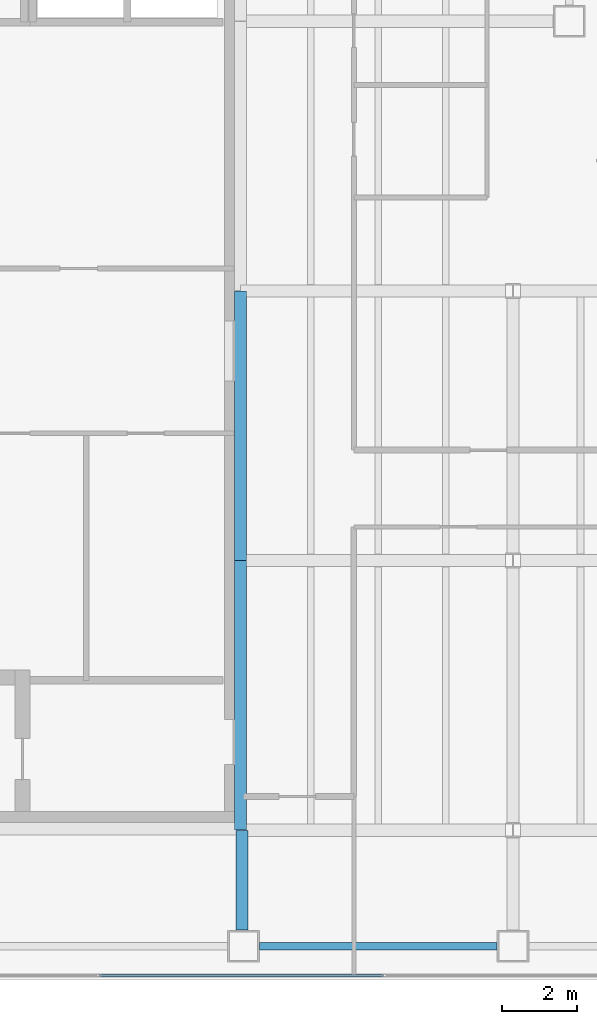
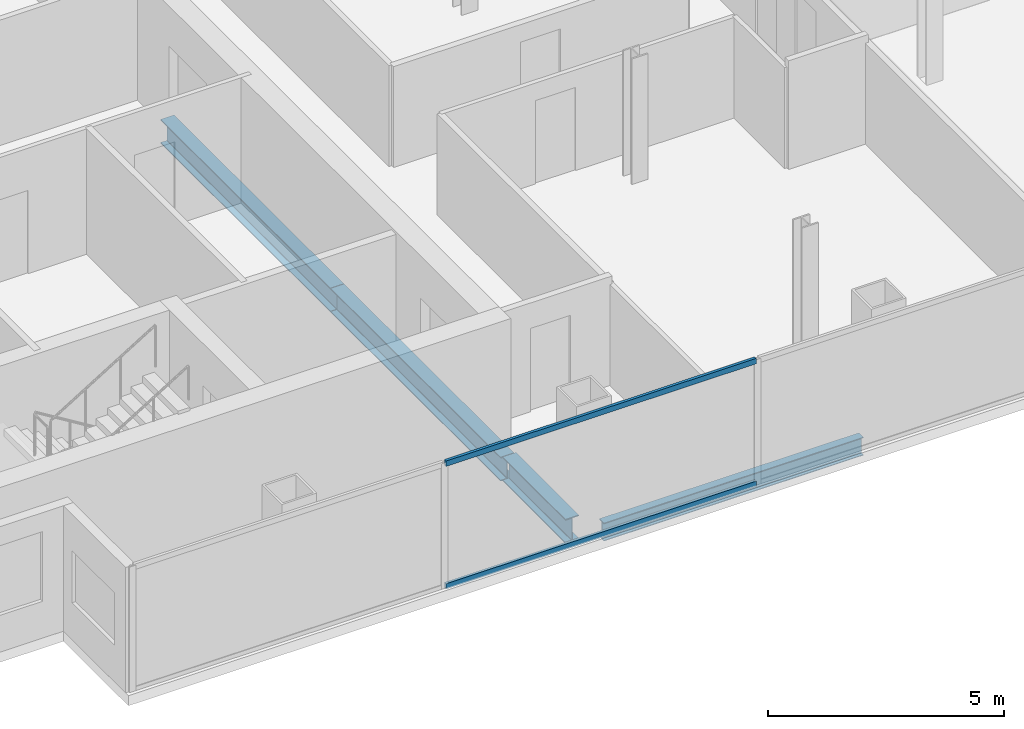
# One storey, part 3 of 23: 4 beams, 2 members, 1 element without a shape of its own.
"""IFC4 building model written with IfcOpenShell, lengths in metres."""

import ifcopenshell
import ifcopenshell.guid

model = None  # the IFC model being written
_history = None  # IfcOwnerHistory: only IFC2X3 demands one
_inside = {}  # id of a spatial element -> (the spatial element, [elements in it])
_under = {}  # id of a project, library or spatial element -> (it, [spatial elements below it])
_declared = {}  # id of a project -> (the project, [libraries it declares])
_typed = {}  # id of a type object -> (the type object, [elements of that type])
_made_of = {}  # id of a material, layer set ... -> (it, [elements and type objects made of it])


def new_model(schema):
    """Start an empty IFC model of exactly this schema.

    Asked for "IFC4X3", IfcOpenShell would pick the latest addendum, in which some entities
    have other attributes; the version numbers below select the first issue.
    IFC2X3 requires an IfcOwnerHistory on every rooted entity: one is made here for all.
    """
    global model, _history
    if schema == "IFC4X3":
        model = ifcopenshell.file(schema_version=(4, 3, 0, 0))
    else:
        model = ifcopenshell.file(schema=schema)
    _inside.clear()
    _under.clear()
    _declared.clear()
    _typed.clear()
    _made_of.clear()
    _history = None
    if model.schema == "IFC2X3":
        org = make("IfcOrganization", Name="unknown")
        user = make(
            "IfcPersonAndOrganization",
            ThePerson=make("IfcPerson", FamilyName="unknown"),
            TheOrganization=org,
        )
        app = make(
            "IfcApplication",
            ApplicationDeveloper=org,
            Version="unknown",
            ApplicationFullName="unknown",
            ApplicationIdentifier="unknown",
        )
        _history = make(
            "IfcOwnerHistory",
            OwningUser=user,
            OwningApplication=app,
            ChangeAction="ADDED",
            CreationDate=0,
        )
    return model


def make(cls, **values):
    """One entity of the class cls with the attributes given. An attribute that is None is left unset."""
    return model.create_entity(
        cls, **{name: value for name, value in values.items() if value is not None}
    )


def rooted(cls, **values):
    """An entity with a GlobalId (a new one), such as an element, a storey or a relation."""
    return make(cls, GlobalId=ifcopenshell.guid.new(), OwnerHistory=_history, **values)


def si_unit(unit_type, name, prefix=None):
    """IfcSIUnit, for example si_unit("LENGTHUNIT", "METRE", prefix="MILLI")."""
    return make("IfcSIUnit", UnitType=unit_type, Prefix=prefix, Name=name)


def assignment(units):
    """IfcUnitAssignment: the units of a project."""
    return None if units is None else make("IfcUnitAssignment", Units=units)


def point(xyz):
    """IfcCartesianPoint."""
    return None if xyz is None else make("IfcCartesianPoint", Coordinates=xyz)


def direction(xyz):
    """IfcDirection."""
    return None if xyz is None else make("IfcDirection", DirectionRatios=xyz)


def frame(location, z_axis=None, x_axis=None):
    """IfcAxis2Placement3D, a coordinate frame: its origin and axes. An axis left out is left unset."""
    return make(
        "IfcAxis2Placement3D",
        Location=point(location),
        Axis=direction(z_axis),
        RefDirection=direction(x_axis),
    )


def frame_2d(location, x_axis=None):
    """IfcAxis2Placement2D, a coordinate frame in the plane: its origin and x axis."""
    return make(
        "IfcAxis2Placement2D", Location=point(location), RefDirection=direction(x_axis)
    )


def origin():
    """The frame at (0, 0, 0) with its axes left unset."""
    return frame((0.0, 0.0, 0.0))


def origin_2d():
    """The frame at (0, 0) in the plane with its x axis left unset."""
    return frame_2d((0.0, 0.0))


def place(relative_to, where):
    """IfcLocalPlacement: puts the frame where relative to a parent placement (None: the world)."""
    return make(
        "IfcLocalPlacement", PlacementRelTo=relative_to, RelativePlacement=where
    )


def context(
    kind, dimensions, precision=None, world=None, true_north=None, identifier=None
):
    """IfcGeometricRepresentationContext, for example the 3D "Model" context."""
    return make(
        "IfcGeometricRepresentationContext",
        ContextIdentifier=identifier,
        ContextType=kind,
        CoordinateSpaceDimension=dimensions,
        Precision=precision,
        WorldCoordinateSystem=world,
        TrueNorth=true_north,
    )


def subcontext(parent, identifier, kind, view, scale=None):
    """IfcGeometricRepresentationSubContext, for example "Body" below "Model"."""
    return make(
        "IfcGeometricRepresentationSubContext",
        ContextIdentifier=identifier,
        ContextType=kind,
        ParentContext=parent,
        TargetScale=scale,
        TargetView=view,
    )


def project(units=None, contexts=None):
    """IfcProject with its units and contexts."""
    return rooted(
        "IfcProject",
        Name="project",
        RepresentationContexts=contexts,
        UnitsInContext=assignment(units),
    )


def spatial(cls, under=None, at=None, **own):
    """A site, building, storey or space (cls), placed at a placement, below another one or the project."""
    s = rooted(cls, ObjectPlacement=at, **own)
    if under is not None:
        _under.setdefault(under.id(), (under, []))[1].append(s)
    return s


def profile(cls, at=None, kind="AREA", **sizes):
    """A parametric profile (cls). Its sizes go by their IFC names, for example OverallWidth=200.0."""
    return make(cls, ProfileType=kind, Position=at, **sizes)


def hollow_rectangle(**sizes):
    """IfcRectangleHollowProfileDef."""
    return profile("IfcRectangleHollowProfileDef", **sizes)


def i_section(**sizes):
    """IfcIShapeProfileDef."""
    return profile("IfcIShapeProfileDef", **sizes)


def extrude(swept, where, along, depth):
    """IfcExtrudedAreaSolid: the profile swept, set in the frame where, extruded along a direction by depth."""
    return make(
        "IfcExtrudedAreaSolid",
        SweptArea=swept,
        Position=where,
        ExtrudedDirection=direction(along),
        Depth=depth,
    )


def shape(context_of_items, identifier, shape_type, items):
    """IfcShapeRepresentation: the items that make up one representation, for example the "Body"."""
    return make(
        "IfcShapeRepresentation",
        ContextOfItems=context_of_items,
        RepresentationIdentifier=identifier,
        RepresentationType=shape_type,
        Items=items,
    )


def material(Name=None, Category=None):
    """IfcMaterial."""
    return make("IfcMaterial", Name=Name, Category=Category)


def material_profile(
    of_material, cross_section, Name=None, Category=None, Priority=None
):
    """IfcMaterialProfile: a cross section and its material."""
    return make(
        "IfcMaterialProfile",
        Name=Name,
        Material=of_material,
        Profile=cross_section,
        Priority=Priority,
        Category=Category,
    )


def profile_set(profiles, Name=None, composite=None):
    """IfcMaterialProfileSet."""
    return make(
        "IfcMaterialProfileSet",
        Name=Name,
        MaterialProfiles=profiles,
        CompositeProfile=composite,
    )


def made_of(thing, what):
    """Note that an element or type object is made of a material, layer set ...; save() writes the relation."""
    if what is not None:
        _made_of.setdefault(what.id(), (what, []))[1].append(thing)
    return thing


def type_object(cls, material=None, **own):
    """A type object (cls), such as IfcWallType, which elements share."""
    return made_of(rooted(cls, **own), material)


def element(
    cls,
    number,
    at=None,
    inside=None,
    cuts=None,
    type_object=None,
    material=None,
    context=None,
    identifier="Body",
    shape_type=None,
    held_by="IfcProductDefinitionShape",
    body=None,
    shapes=None,
    **own,
):
    """One element of the class cls, such as IfcWall. Its Tag is "e" and its number.

    at: its placement. inside: the storey or other place that contains it. cuts: it is an
    opening in that element (IfcRelVoidsElement). A single representation is given by context,
    identifier, shape_type and body (its items); several are given by shapes. held_by: the class
    of the entity that holds the representations. save() writes the other relations.
    """
    e = rooted(cls, Tag="e%d" % number, ObjectPlacement=at, **own)
    if body is not None:
        shapes = [shape(context, identifier, shape_type, body)]
    if shapes is not None:
        e.Representation = make(held_by, Representations=shapes)
    if inside is not None:
        _inside.setdefault(inside.id(), (inside, []))[1].append(e)
    if cuts is not None:
        rooted(
            "IfcRelVoidsElement", RelatingBuildingElement=cuts, RelatedOpeningElement=e
        )
    if type_object is not None:
        _typed.setdefault(type_object.id(), (type_object, []))[1].append(e)
    return made_of(e, material)


def aggregate(whole, parts):
    """IfcRelAggregates: a whole, such as a stair, and the parts it consists of."""
    return rooted("IfcRelAggregates", RelatingObject=whole, RelatedObjects=parts)


def save(model, path):
    """Write the relations noted so far, then the file.

    IfcRelAggregates (storeys below a building ...), IfcRelContainedInSpatialStructure (elements
    in a storey), IfcRelDefinesByType, IfcRelAssociatesMaterial and IfcRelDeclares: one each for
    every whole, place, type object, material and project.
    """
    for whole, parts in _under.values():
        aggregate(whole, parts)
    for where, things in _inside.values():
        rooted(
            "IfcRelContainedInSpatialStructure",
            RelatedElements=things,
            RelatingStructure=where,
        )
    for kind, things in _typed.values():
        rooted("IfcRelDefinesByType", RelatedObjects=things, RelatingType=kind)
    for what, things in _made_of.values():
        rooted("IfcRelAssociatesMaterial", RelatedObjects=things, RelatingMaterial=what)
    for by, libraries in _declared.values():
        rooted("IfcRelDeclares", RelatingContext=by, RelatedDefinitions=libraries)
    model.write(path)


model = new_model("IFC4")

# Units and contexts
model_context = context("Model", 3, precision=1e-05, world=origin(), true_north=direction((0.0, 1.0)))
body_context = subcontext(model_context, "Body", "Model", "MODEL_VIEW")
ifc_project = project(units=[si_unit("LENGTHUNIT", "METRE"), si_unit("AREAUNIT", "SQUARE_METRE"), si_unit("VOLUMEUNIT", "CUBIC_METRE"), si_unit("PLANEANGLEUNIT", "RADIAN"), si_unit("MASSUNIT", "GRAM", prefix="KILO")], contexts=[model_context])

# Site, building, storey
site_placement = place(None, origin())
site = spatial("IfcSite", under=ifc_project, at=site_placement, CompositionType="ELEMENT")
building_placement = place(site_placement, origin())
building = spatial("IfcBuilding", under=site, at=building_placement, Name="Cobrela Telecom Tower", CompositionType="ELEMENT")
storey_placement = place(building_placement, frame((0.0, 0.0, 176.75)))
storey = spatial("IfcBuildingStorey", under=building, at=storey_placement, Name="L44", CompositionType="ELEMENT", Elevation=176.75)

# Beams
ifc_material_1 = material(Name="Steel ASTM A992 Grade 50", Category="steel")
ifc_material_profile_1 = material_profile(ifc_material_1, i_section(OverallWidth=0.327880859375, OverallDepth=0.6220703125, WebThickness=0.015380859375, FlangeThickness=0.0244140625, FilletRadius=0.014892578125, at=origin_2d()), Name="W24X131")
ifc_profile_set_1 = profile_set([ifc_material_profile_1], Name="Steel ASTM A992 Grade 50")
beam_type_1 = type_object("IfcBeamType", Name="BM-GIRD-06", PredefinedType="USERDEFINED", material=ifc_profile_set_1)
beam_1_placement = place(storey_placement, frame((14.360107421875, 4.530029296875, -0.571044921875), z_axis=(0.0, 1.0, 0.0), x_axis=(-1.0, 0.0, 0.0)))
element("IfcBeam", 1, at=beam_1_placement, inside=storey, type_object=beam_type_1, Name="L44 Primary Girder Y26", ObjectType="GIRDER", PredefinedType="USERDEFINED", context=body_context, shape_type="SweptSolid", body=[
    extrude(i_section(OverallWidth=0.327880859375, OverallDepth=0.6220703125, WebThickness=0.015380859375, FlangeThickness=0.0244140625, FilletRadius=0.014892578125, at=origin_2d()), origin(), (0.0, 0.0, 1.0), 2.6650390625),
])
for number, where, z_axis, x_axis, name in (
    (2, (14.320068359375, 7.205078125, -0.571044921875), (0.0, 1.0, 0.0), (-1.0, 0.0, 0.0), "L44 Primary Girder Y27"),
    (3, (14.320068359375, 14.405029296875, -0.571044921875), (0.0, 1.0, 0.0), (-1.0, 0.0, 0.0), "L44 Primary Girder Y28"),
):
    element("IfcBeam", number, at=place(storey_placement, frame(where, z_axis=z_axis, x_axis=x_axis)), inside=storey, type_object=beam_type_1, Name=name, ObjectType="GIRDER", PredefinedType="USERDEFINED", context=body_context, shape_type="SweptSolid", body=[
        extrude(i_section(OverallWidth=0.327880859375, OverallDepth=0.6220703125, WebThickness=0.015380859375, FlangeThickness=0.0244140625, FilletRadius=0.014892578125, at=origin_2d()), origin(), (0.0, 0.0, 1.0), 7.18994140625),
    ])
ifc_material_profile_2 = material_profile(ifc_material_1, i_section(OverallWidth=0.193115234375, OverallDepth=0.467041015625, WebThickness=0.011474609375, FlangeThickness=0.01904296875, FilletRadius=0.012939453125, at=origin_2d()), Name="W18X65")
ifc_profile_set_2 = profile_set([ifc_material_profile_2], Name="Steel ASTM A992 Grade 50")
beam_type_2 = type_object("IfcBeamType", Name="BM-SPAND-05", PredefinedType="SPANDREL", material=ifc_profile_set_2)
beam_2_placement = place(storey_placement, frame((14.830078125, 4.10009765625, -0.493408203125), z_axis=(1.0, 0.0, 0.0), x_axis=(0.0, 1.0, 0.0)))
element("IfcBeam", 4, at=beam_2_placement, inside=storey, type_object=beam_type_2, Name="L44 Perimeter Spandrel X02", PredefinedType="SPANDREL", context=body_context, shape_type="SweptSolid", body=[
    extrude(i_section(OverallWidth=0.193115234375, OverallDepth=0.467041015625, WebThickness=0.011474609375, FlangeThickness=0.01904296875, FilletRadius=0.012939453125, at=origin_2d()), origin(), (0.0, 0.0, 1.0), 6.33984375),
])

# Curtain wall, members
ifc_material_2 = material(Name="Anodized Bronze Aluminium 6063-T6", Category="aluminium")
curtain_wall_type = type_object("IfcCurtainWallType", Name="CW-SYS-OFF-LO", PredefinedType="USERDEFINED", material=ifc_material_2)
curtain_wall_placement = place(storey_placement, origin())
curtain_wall = element("IfcCurtainWall", 5, at=curtain_wall_placement, inside=storey, type_object=curtain_wall_type, Name="L44 Unitised Bronze Curtain Wall 17", ObjectType="UNITISED CURTAIN WALL", PredefinedType="USERDEFINED")
ifc_material_profile_3 = material_profile(ifc_material_2, hollow_rectangle(XDim=0.070068359375, YDim=0.139892578125, WallThickness=0.00390625, at=origin_2d()), Name="ALU 70x140x4")
ifc_profile_set_3 = profile_set([ifc_material_profile_3], Name="Anodized Bronze Aluminium 6063-T6")
member_type = type_object("IfcMemberType", Name="CW-SYS-OFF-LO-TRN", PredefinedType="USERDEFINED", material=ifc_profile_set_3)
member_1_placement = place(storey_placement, frame((18.138916015625, 3.320068359375, 0.034912109375), z_axis=(-1.0, 0.0, 0.0), x_axis=(0.0, -1.0, 0.0)))
member_1 = element("IfcMember", 6, at=member_1_placement, type_object=member_type, Name="CW-OFF-LO transom 4.1", ObjectType="TRANSOM", PredefinedType="USERDEFINED", context=body_context, shape_type="SweptSolid", body=[
    extrude(hollow_rectangle(XDim=0.070068359375, YDim=0.139892578125, WallThickness=0.00390625, at=origin_2d()), origin(), (0.0, 0.0, 1.0), 7.58203125),
])
member_2_placement = place(storey_placement, frame((18.138916015625, 3.320068359375, 3.205078125), z_axis=(-1.0, 0.0, 0.0), x_axis=(0.0, -1.0, 0.0)))
member_2 = element("IfcMember", 7, at=member_2_placement, type_object=member_type, Name="CW-OFF-LO transom 4.2", ObjectType="TRANSOM", PredefinedType="USERDEFINED", context=body_context, shape_type="SweptSolid", body=[
    extrude(hollow_rectangle(XDim=0.070068359375, YDim=0.139892578125, WallThickness=0.00390625, at=origin_2d()), origin(), (0.0, 0.0, 1.0), 7.58203125),
])
aggregate(curtain_wall, [member_1, member_2])

save(model, "model.ifc")
